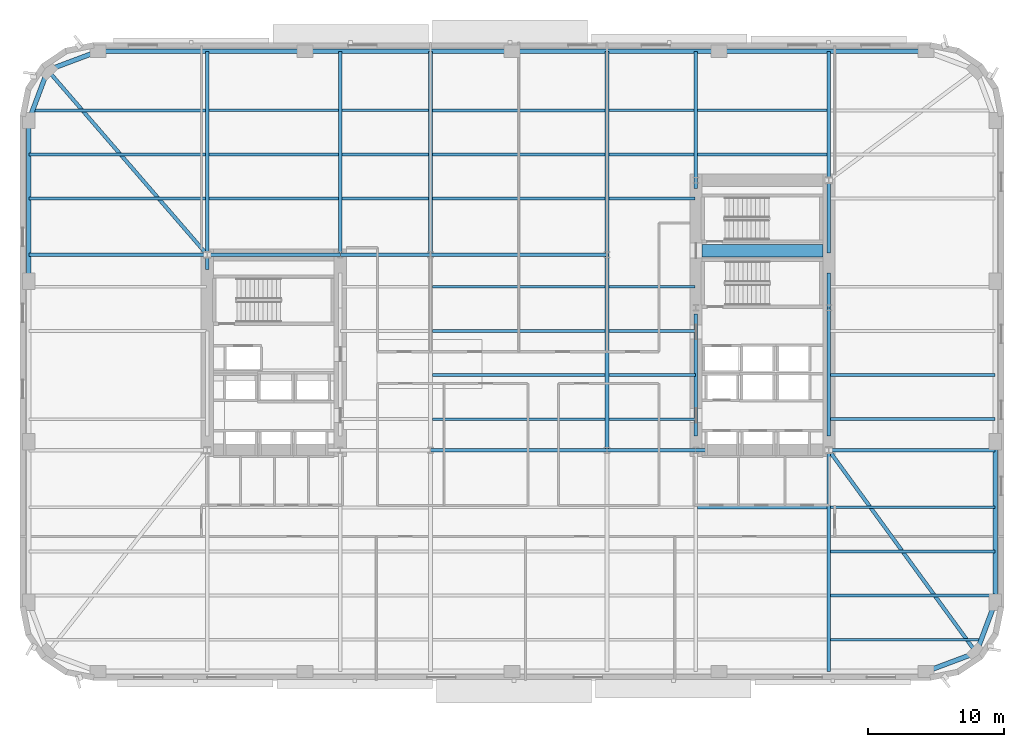
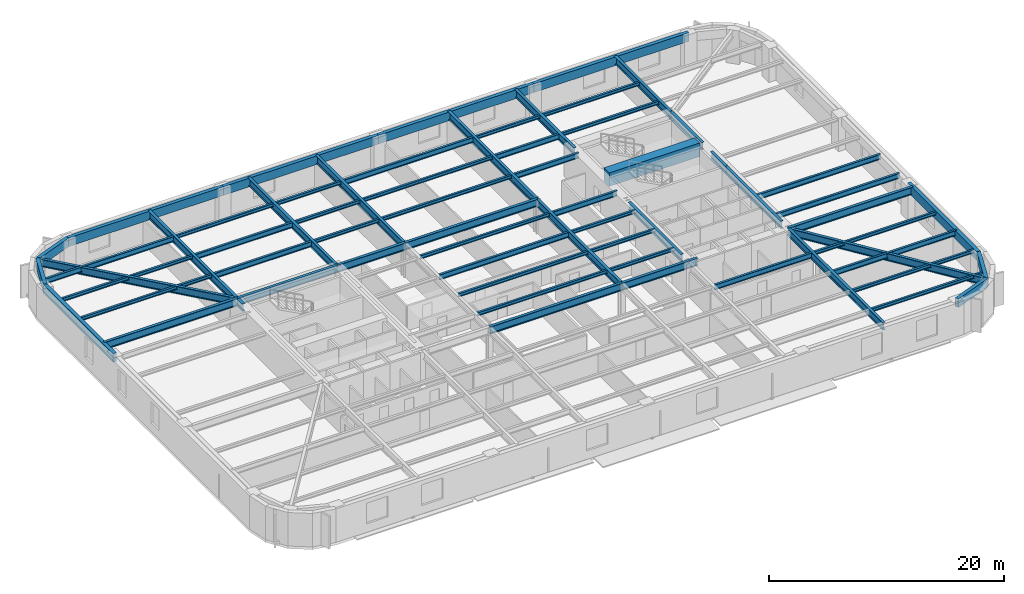
# One storey, part 2 of 15: 64 beams.
"""IFC4 building model written with IfcOpenShell, lengths in metres."""

from ifc_helpers import new_model, si_unit, direction, frame, origin, origin_2d, place, context, subcontext, project, spatial, rectangle, hollow_rectangle, i_section, extrude, material, material_profile, profile_set, type_object, element, save


model = new_model("IFC4")

# Units and contexts
model_context = context("Model", 3, precision=1e-05, world=origin(), true_north=direction((0.0, 1.0)))
body_context = subcontext(model_context, "Body", "Model", "MODEL_VIEW")
ifc_project = project(units=[si_unit("LENGTHUNIT", "METRE"), si_unit("AREAUNIT", "SQUARE_METRE"), si_unit("VOLUMEUNIT", "CUBIC_METRE"), si_unit("PLANEANGLEUNIT", "RADIAN"), si_unit("MASSUNIT", "GRAM", prefix="KILO")], contexts=[model_context])

# Site, building, storey
site_placement = place(None, origin())
site = spatial("IfcSite", under=ifc_project, at=site_placement, CompositionType="ELEMENT")
building_placement = place(site_placement, origin())
building = spatial("IfcBuilding", under=site, at=building_placement, Name="Kolvaren Arena Tower", CompositionType="ELEMENT")
storey_placement = place(building_placement, frame((0.0, 0.0, 83.25)))
storey = spatial("IfcBuildingStorey", under=building, at=storey_placement, Name="L18", CompositionType="ELEMENT", Elevation=83.25)

# Beams
ifc_material_1 = material(Name="Steel CSA G40.21 350W", Category="steel")
ifc_material_profile_1 = material_profile(ifc_material_1, i_section(OverallWidth=0.2119140625, OverallDepth=0.54296875, WebThickness=0.01318359375, FlangeThickness=0.0244140625, FilletRadius=0.013916015625, at=origin_2d()), Name="W530x150")
ifc_profile_set_1 = profile_set([ifc_material_profile_1], Name="Steel CSA G40.21 350W")
beam_type_1 = type_object("IfcBeamType", Name="BEAM-F1", PredefinedType="BEAM", material=ifc_profile_set_1)
beam_1_placement = place(storey_placement, frame((60.485107421875, 12.0, 3.20849609375), z_axis=(1.0, 0.0, 0.0), x_axis=(0.0, 1.0, 0.0)))
element("IfcBeam", 1, at=beam_1_placement, inside=storey, type_object=beam_type_1, Name="Composite Floor Beam (L18)", PredefinedType="BEAM", context=body_context, shape_type="SweptSolid", body=[
    extrude(i_section(OverallWidth=0.2119140625, OverallDepth=0.54296875, WebThickness=0.01318359375, FlangeThickness=0.0244140625, FilletRadius=0.013916015625, at=origin_2d()), origin(), (0.0, 0.0, 1.0), 12.114990234375),
])
beam_2_placement = place(storey_placement, frame((50.68505859375, 15.25, 3.20849609375), z_axis=(1.0, 0.0, 0.0), x_axis=(0.0, 1.0, 0.0)))
element("IfcBeam", 2, at=beam_2_placement, inside=storey, type_object=beam_type_1, Name="Composite Floor Beam (L18)", PredefinedType="BEAM", context=body_context, shape_type="SweptSolid", body=[
    extrude(i_section(OverallWidth=0.2119140625, OverallDepth=0.54296875, WebThickness=0.01318359375, FlangeThickness=0.0244140625, FilletRadius=0.013916015625, at=origin_2d()), origin(), (0.0, 0.0, 1.0), 9.530029296875),
])
for number, where, z_axis, x_axis, name in (
    (3, (60.3701171875, 21.75, 3.20849609375), (1.0, 0.0, 0.0), (0.0, 1.0, 0.0), "Composite Floor Beam (L18)"),
    (4, (60.3701171875, 25.0, 3.20849609375), (1.0, 0.0, 0.0), (0.0, 1.0, 0.0), "Composite Floor Beam (L18)"),
):
    element("IfcBeam", number, at=place(storey_placement, frame(where, z_axis=z_axis, x_axis=x_axis)), inside=storey, type_object=beam_type_1, Name=name, PredefinedType="BEAM", context=body_context, shape_type="SweptSolid", body=[
        extrude(i_section(OverallWidth=0.2119140625, OverallDepth=0.54296875, WebThickness=0.01318359375, FlangeThickness=0.0244140625, FilletRadius=0.013916015625, at=origin_2d()), origin(), (0.0, 0.0, 1.0), 12.22998046875),
    ])
beam_3_placement = place(storey_placement, frame((31.135009765625, 28.25, 3.20849609375), z_axis=(1.0, 0.0, 0.0), x_axis=(0.0, 1.0, 0.0)))
element("IfcBeam", 5, at=beam_3_placement, inside=storey, type_object=beam_type_1, Name="Composite Floor Beam (L18)", PredefinedType="BEAM", context=body_context, shape_type="SweptSolid", body=[
    extrude(i_section(OverallWidth=0.2119140625, OverallDepth=0.54296875, WebThickness=0.01318359375, FlangeThickness=0.0244140625, FilletRadius=0.013916015625, at=origin_2d()), origin(), (0.0, 0.0, 1.0), 12.72998046875),
])
beam_4_placement = place(storey_placement, frame((44.135009765625, 31.5, 3.20849609375), z_axis=(1.0, 0.0, 0.0), x_axis=(0.0, 1.0, 0.0)))
element("IfcBeam", 6, at=beam_4_placement, inside=storey, type_object=beam_type_1, Name="Composite Floor Beam (L18)", PredefinedType="BEAM", context=body_context, shape_type="SweptSolid", body=[
    extrude(i_section(OverallWidth=0.2119140625, OverallDepth=0.54296875, WebThickness=0.01318359375, FlangeThickness=0.0244140625, FilletRadius=0.013916015625, at=origin_2d()), origin(), (0.0, 0.0, 1.0), 6.344970703125),
])
beam_5_placement = place(storey_placement, frame((14.68505859375, 38.0, 3.20849609375), z_axis=(1.0, 0.0, 0.0), x_axis=(0.0, 1.0, 0.0)))
element("IfcBeam", 7, at=beam_5_placement, inside=storey, type_object=beam_type_1, Name="Composite Floor Beam (L18)", PredefinedType="BEAM", context=body_context, shape_type="SweptSolid", body=[
    extrude(i_section(OverallWidth=0.2119140625, OverallDepth=0.54296875, WebThickness=0.01318359375, FlangeThickness=0.0244140625, FilletRadius=0.013916015625, at=origin_2d()), origin(), (0.0, 0.0, 1.0), 9.530029296875),
])
beam_6_placement = place(storey_placement, frame((44.135009765625, 38.0, 3.20849609375), z_axis=(1.0, 0.0, 0.0), x_axis=(0.0, 1.0, 0.0)))
element("IfcBeam", 8, at=beam_6_placement, inside=storey, type_object=beam_type_1, Name="Composite Floor Beam (L18)", PredefinedType="BEAM", context=body_context, shape_type="SweptSolid", body=[
    extrude(i_section(OverallWidth=0.2119140625, OverallDepth=0.54296875, WebThickness=0.01318359375, FlangeThickness=0.0244140625, FilletRadius=0.013916015625, at=origin_2d()), origin(), (0.0, 0.0, 1.0), 6.344970703125),
])
beam_7_placement = place(storey_placement, frame((14.68505859375, 41.25, 3.20849609375), z_axis=(1.0, 0.0, 0.0), x_axis=(0.0, 1.0, 0.0)))
element("IfcBeam", 9, at=beam_7_placement, inside=storey, type_object=beam_type_1, Name="Composite Floor Beam (L18)", PredefinedType="BEAM", context=body_context, shape_type="SweptSolid", body=[
    extrude(i_section(OverallWidth=0.2119140625, OverallDepth=0.54296875, WebThickness=0.01318359375, FlangeThickness=0.0244140625, FilletRadius=0.013916015625, at=origin_2d()), origin(), (0.0, 0.0, 1.0), 9.530029296875),
])
beam_8_placement = place(storey_placement, frame((44.135009765625, 41.25, 3.20849609375), z_axis=(1.0, 0.0, 0.0), x_axis=(0.0, 1.0, 0.0)))
element("IfcBeam", 10, at=beam_8_placement, inside=storey, type_object=beam_type_1, Name="Composite Floor Beam (L18)", PredefinedType="BEAM", context=body_context, shape_type="SweptSolid", body=[
    extrude(i_section(OverallWidth=0.2119140625, OverallDepth=0.54296875, WebThickness=0.01318359375, FlangeThickness=0.0244140625, FilletRadius=0.013916015625, at=origin_2d()), origin(), (0.0, 0.0, 1.0), 6.280029296875),
])
beam_9_placement = place(storey_placement, frame((1.681396484375, 44.5, 3.20849609375), z_axis=(1.0, 0.0, 0.0), x_axis=(0.0, 1.0, 0.0)))
element("IfcBeam", 11, at=beam_9_placement, inside=storey, type_object=beam_type_1, Name="Composite Floor Beam (L18)", PredefinedType="BEAM", context=body_context, shape_type="SweptSolid", body=[
    extrude(i_section(OverallWidth=0.2119140625, OverallDepth=0.54296875, WebThickness=0.01318359375, FlangeThickness=0.0244140625, FilletRadius=0.013916015625, at=origin_2d()), origin(), (0.0, 0.0, 1.0), 12.733642578125),
])
beam_10_placement = place(storey_placement, frame((31.135009765625, 44.5, 3.20849609375), z_axis=(1.0, 0.0, 0.0), x_axis=(0.0, 1.0, 0.0)))
element("IfcBeam", 12, at=beam_10_placement, inside=storey, type_object=beam_type_1, Name="Composite Floor Beam (L18)", PredefinedType="BEAM", context=body_context, shape_type="SweptSolid", body=[
    extrude(i_section(OverallWidth=0.2119140625, OverallDepth=0.54296875, WebThickness=0.01318359375, FlangeThickness=0.0244140625, FilletRadius=0.013916015625, at=origin_2d()), origin(), (0.0, 0.0, 1.0), 12.72998046875),
])
ifc_material_2 = material(Name="Concrete 75 MPa", Category="concrete")
ifc_material_profile_2 = material_profile(ifc_material_2, rectangle(XDim=0.89990234375, YDim=1.39990234375, at=origin_2d()), Name="RC-900x1400")
ifc_profile_set_2 = profile_set([ifc_material_profile_2], Name="Concrete 75 MPa")
beam_type_2 = type_object("IfcBeamType", Name="CB-CORE-1", PredefinedType="BEAM", material=ifc_profile_set_2)
beam_11_placement = place(storey_placement, frame((51.0, 34.14990234375, 3.050048828125), z_axis=(1.0, 0.0, 0.0), x_axis=(0.0, 1.0, 0.0)))
element("IfcBeam", 13, at=beam_11_placement, inside=storey, type_object=beam_type_2, Name="East Core Coupling Beam (L18)", PredefinedType="BEAM", context=body_context, shape_type="SweptSolid", body=[
    extrude(rectangle(XDim=0.89990234375, YDim=1.39990234375, at=origin_2d()), origin(), (0.0, 0.0, 1.0), 8.89990234375),
])
ifc_material_profile_3 = material_profile(ifc_material_1, i_section(OverallWidth=0.27001953125, OverallDepth=0.77294921875, WebThickness=0.019287109375, FlangeThickness=0.033447265625, FilletRadius=0.01806640625, at=origin_2d()), Name="W760x257")
ifc_profile_set_3 = profile_set([ifc_material_profile_3], Name="Steel CSA G40.21 350W")
beam_type_3 = type_object("IfcBeamType", Name="GIRD-T1", PredefinedType="BEAM", material=ifc_profile_set_3)
beam_12_placement = place(storey_placement, frame((71.208740234375, 4.541259765625, 3.093505859375), z_axis=(-0.588737448901, 0.80832432616, 0.0), x_axis=(-0.80832432616, -0.588737448901, 0.0)))
element("IfcBeam", 14, at=beam_12_placement, inside=storey, type_object=beam_type_3, Name="Corner Diagonal Tie Girder (L18)", PredefinedType="BEAM", context=body_context, shape_type="SweptSolid", body=[
    extrude(i_section(OverallWidth=0.27001953125, OverallDepth=0.77294921875, WebThickness=0.019287109375, FlangeThickness=0.033447265625, FilletRadius=0.01806640625, at=origin_2d()), origin(), (0.0, 0.0, 1.0), 18.44384765625),
])
beam_13_placement = place(storey_placement, frame((2.791259765625, 47.458740234375, 3.093505859375), z_axis=(0.653806810332, -0.756661519283, 0.0), x_axis=(0.756661519283, 0.653806810332, 0.0)))
element("IfcBeam", 15, at=beam_13_placement, inside=storey, type_object=beam_type_3, Name="Corner Diagonal Tie Girder (L18)", PredefinedType="BEAM", context=body_context, shape_type="SweptSolid", body=[
    extrude(i_section(OverallWidth=0.27001953125, OverallDepth=0.77294921875, WebThickness=0.019287109375, FlangeThickness=0.033447265625, FilletRadius=0.01806640625, at=origin_2d()), origin(), (0.0, 0.0, 1.0), 17.985107421875),
])
beam_14_placement = place(storey_placement, frame((31.0, 19.449951171875, 3.093505859375), z_axis=(1.0, 0.0, 0.0), x_axis=(0.0, 1.0, 0.0)))
element("IfcBeam", 16, at=beam_14_placement, inside=storey, type_object=beam_type_3, Name="Primary Floor Girder (L18)", PredefinedType="BEAM", context=body_context, shape_type="SweptSolid", body=[
    extrude(i_section(OverallWidth=0.27001953125, OverallDepth=0.77294921875, WebThickness=0.019287109375, FlangeThickness=0.033447265625, FilletRadius=0.01806640625, at=origin_2d()), origin(), (0.0, 0.0, 1.0), 13.0),
])
beam_15_placement = place(storey_placement, frame((44.0, 19.449951171875, 3.093505859375), z_axis=(1.0, 0.0, 0.0), x_axis=(0.0, 1.0, 0.0)))
element("IfcBeam", 17, at=beam_15_placement, inside=storey, type_object=beam_type_3, Name="Primary Floor Girder (L18)", PredefinedType="BEAM", context=body_context, shape_type="SweptSolid", body=[
    extrude(i_section(OverallWidth=0.27001953125, OverallDepth=0.77294921875, WebThickness=0.019287109375, FlangeThickness=0.033447265625, FilletRadius=0.01806640625, at=origin_2d()), origin(), (0.0, 0.0, 1.0), 7.4150390625),
])
beam_16_placement = place(storey_placement, frame((60.35009765625, 19.449951171875, 3.093505859375), z_axis=(1.0, 0.0, 0.0), x_axis=(0.0, 1.0, 0.0)))
element("IfcBeam", 18, at=beam_16_placement, inside=storey, type_object=beam_type_3, Name="Primary Floor Girder (L18)", PredefinedType="BEAM", context=body_context, shape_type="SweptSolid", body=[
    extrude(i_section(OverallWidth=0.27001953125, OverallDepth=0.77294921875, WebThickness=0.019287109375, FlangeThickness=0.033447265625, FilletRadius=0.01806640625, at=origin_2d()), origin(), (0.0, 0.0, 1.0), 12.25),
])
beam_17_placement = place(storey_placement, frame((1.39990234375, 33.85009765625, 3.093505859375), z_axis=(1.0, 0.0, 0.0), x_axis=(0.0, 1.0, 0.0)))
element("IfcBeam", 19, at=beam_17_placement, inside=storey, type_object=beam_type_3, Name="Primary Floor Girder (L18)", PredefinedType="BEAM", context=body_context, shape_type="SweptSolid", body=[
    extrude(i_section(OverallWidth=0.27001953125, OverallDepth=0.77294921875, WebThickness=0.019287109375, FlangeThickness=0.033447265625, FilletRadius=0.01806640625, at=origin_2d()), origin(), (0.0, 0.0, 1.0), 13.150146484375),
])
beam_18_placement = place(storey_placement, frame((14.550048828125, 33.85009765625, 3.093505859375), z_axis=(1.0, 0.0, 0.0), x_axis=(0.0, 1.0, 0.0)))
element("IfcBeam", 20, at=beam_18_placement, inside=storey, type_object=beam_type_3, Name="Primary Floor Girder (L18)", PredefinedType="BEAM", context=body_context, shape_type="SweptSolid", body=[
    extrude(i_section(OverallWidth=0.27001953125, OverallDepth=0.77294921875, WebThickness=0.019287109375, FlangeThickness=0.033447265625, FilletRadius=0.01806640625, at=origin_2d()), origin(), (0.0, 0.0, 1.0), 9.800048828125),
])
beam_19_placement = place(storey_placement, frame((24.35009765625, 33.85009765625, 3.093505859375), z_axis=(1.0, 0.0, 0.0), x_axis=(0.0, 1.0, 0.0)))
element("IfcBeam", 21, at=beam_19_placement, inside=storey, type_object=beam_type_3, Name="Primary Floor Girder (L18)", PredefinedType="BEAM", context=body_context, shape_type="SweptSolid", body=[
    extrude(i_section(OverallWidth=0.27001953125, OverallDepth=0.77294921875, WebThickness=0.019287109375, FlangeThickness=0.033447265625, FilletRadius=0.01806640625, at=origin_2d()), origin(), (0.0, 0.0, 1.0), 6.64990234375),
])
beam_20_placement = place(storey_placement, frame((31.0, 33.85009765625, 3.093505859375), z_axis=(1.0, 0.0, 0.0), x_axis=(0.0, 1.0, 0.0)))
element("IfcBeam", 22, at=beam_20_placement, inside=storey, type_object=beam_type_3, Name="Primary Floor Girder (L18)", PredefinedType="BEAM", context=body_context, shape_type="SweptSolid", body=[
    extrude(i_section(OverallWidth=0.27001953125, OverallDepth=0.77294921875, WebThickness=0.019287109375, FlangeThickness=0.033447265625, FilletRadius=0.01806640625, at=origin_2d()), origin(), (0.0, 0.0, 1.0), 13.0),
])
beam_21_placement = place(storey_placement, frame((14.550048828125, 32.7900390625, 3.093505859375), z_axis=(0.0, 1.0, 0.0), x_axis=(-1.0, 0.0, 0.0)))
element("IfcBeam", 23, at=beam_21_placement, inside=storey, type_object=beam_type_3, Name="Primary Floor Girder (L18)", PredefinedType="BEAM", context=body_context, shape_type="SweptSolid", body=[
    extrude(i_section(OverallWidth=0.27001953125, OverallDepth=0.77294921875, WebThickness=0.019287109375, FlangeThickness=0.033447265625, FilletRadius=0.01806640625, at=origin_2d()), origin(), (0.0, 0.0, 1.0), 16.06005859375),
])
for number, where, z_axis, x_axis, name in (
    (24, (24.35009765625, 33.85009765625, 3.093505859375), (0.0, 1.0, 0.0), (-1.0, 0.0, 0.0), "Primary Floor Girder (L18)"),
    (25, (31.0, 33.85009765625, 3.093505859375), (0.0, 1.0, 0.0), (-1.0, 0.0, 0.0), "Primary Floor Girder (L18)"),
):
    element("IfcBeam", number, at=place(storey_placement, frame(where, z_axis=z_axis, x_axis=x_axis)), inside=storey, type_object=beam_type_3, Name=name, PredefinedType="BEAM", context=body_context, shape_type="SweptSolid", body=[
        extrude(i_section(OverallWidth=0.27001953125, OverallDepth=0.77294921875, WebThickness=0.019287109375, FlangeThickness=0.033447265625, FilletRadius=0.01806640625, at=origin_2d()), origin(), (0.0, 0.0, 1.0), 15.0),
    ])
beam_22_placement = place(storey_placement, frame((44.0, 19.449951171875, 3.093505859375), z_axis=(0.0, 1.0, 0.0), x_axis=(-1.0, 0.0, 0.0)))
element("IfcBeam", 26, at=beam_22_placement, inside=storey, type_object=beam_type_3, Name="Primary Floor Girder (L18)", PredefinedType="BEAM", context=body_context, shape_type="SweptSolid", body=[
    extrude(i_section(OverallWidth=0.27001953125, OverallDepth=0.77294921875, WebThickness=0.019287109375, FlangeThickness=0.033447265625, FilletRadius=0.01806640625, at=origin_2d()), origin(), (0.0, 0.0, 1.0), 14.400146484375),
])
beam_23_placement = place(storey_placement, frame((44.0, 33.85009765625, 3.093505859375), z_axis=(0.0, 1.0, 0.0), x_axis=(-1.0, 0.0, 0.0)))
element("IfcBeam", 27, at=beam_23_placement, inside=storey, type_object=beam_type_3, Name="Primary Floor Girder (L18)", PredefinedType="BEAM", context=body_context, shape_type="SweptSolid", body=[
    extrude(i_section(OverallWidth=0.27001953125, OverallDepth=0.77294921875, WebThickness=0.019287109375, FlangeThickness=0.033447265625, FilletRadius=0.01806640625, at=origin_2d()), origin(), (0.0, 0.0, 1.0), 15.0),
])
beam_24_placement = place(storey_placement, frame((50.550048828125, 20.5, 3.093505859375), z_axis=(0.0, 1.0, 0.0), x_axis=(-1.0, 0.0, 0.0)))
element("IfcBeam", 28, at=beam_24_placement, inside=storey, type_object=beam_type_3, Name="Primary Floor Girder (L18)", PredefinedType="BEAM", context=body_context, shape_type="SweptSolid", body=[
    extrude(i_section(OverallWidth=0.27001953125, OverallDepth=0.77294921875, WebThickness=0.019287109375, FlangeThickness=0.033447265625, FilletRadius=0.01806640625, at=origin_2d()), origin(), (0.0, 0.0, 1.0), 8.989990234375),
])
beam_25_placement = place(storey_placement, frame((50.550048828125, 38.760009765625, 3.093505859375), z_axis=(0.0, 1.0, 0.0), x_axis=(-1.0, 0.0, 0.0)))
element("IfcBeam", 29, at=beam_25_placement, inside=storey, type_object=beam_type_3, Name="Primary Floor Girder (L18)", PredefinedType="BEAM", context=body_context, shape_type="SweptSolid", body=[
    extrude(i_section(OverallWidth=0.27001953125, OverallDepth=0.77294921875, WebThickness=0.019287109375, FlangeThickness=0.033447265625, FilletRadius=0.01806640625, at=origin_2d()), origin(), (0.0, 0.0, 1.0), 10.090087890625),
])
beam_26_placement = place(storey_placement, frame((60.35009765625, 3.14990234375, 3.093505859375), z_axis=(0.0, 1.0, 0.0), x_axis=(-1.0, 0.0, 0.0)))
element("IfcBeam", 30, at=beam_26_placement, inside=storey, type_object=beam_type_3, Name="Primary Floor Girder (L18)", PredefinedType="BEAM", context=body_context, shape_type="SweptSolid", body=[
    extrude(i_section(OverallWidth=0.27001953125, OverallDepth=0.77294921875, WebThickness=0.019287109375, FlangeThickness=0.033447265625, FilletRadius=0.01806640625, at=origin_2d()), origin(), (0.0, 0.0, 1.0), 16.300048828125),
])
beam_27_placement = place(storey_placement, frame((60.35009765625, 20.5, 3.093505859375), z_axis=(0.0, 1.0, 0.0), x_axis=(-1.0, 0.0, 0.0)))
element("IfcBeam", 31, at=beam_27_placement, inside=storey, type_object=beam_type_3, Name="Primary Floor Girder (L18)", PredefinedType="BEAM", context=body_context, shape_type="SweptSolid", body=[
    extrude(i_section(OverallWidth=0.27001953125, OverallDepth=0.77294921875, WebThickness=0.019287109375, FlangeThickness=0.033447265625, FilletRadius=0.01806640625, at=origin_2d()), origin(), (0.0, 0.0, 1.0), 9.449951171875),
])
beam_28_placement = place(storey_placement, frame((60.35009765625, 29.949951171875, 3.093505859375), z_axis=(0.0, 1.0, 0.0), x_axis=(-1.0, 0.0, 0.0)))
element("IfcBeam", 32, at=beam_28_placement, inside=storey, type_object=beam_type_3, Name="Primary Floor Girder (L18)", PredefinedType="BEAM", context=body_context, shape_type="SweptSolid", body=[
    extrude(i_section(OverallWidth=0.27001953125, OverallDepth=0.77294921875, WebThickness=0.019287109375, FlangeThickness=0.033447265625, FilletRadius=0.01806640625, at=origin_2d()), origin(), (0.0, 0.0, 1.0), 2.550048828125),
])
beam_29_placement = place(storey_placement, frame((60.35009765625, 33.985107421875, 3.093505859375), z_axis=(0.0, 1.0, 0.0), x_axis=(-1.0, 0.0, 0.0)))
element("IfcBeam", 33, at=beam_29_placement, inside=storey, type_object=beam_type_3, Name="Primary Floor Girder (L18)", PredefinedType="BEAM", context=body_context, shape_type="SweptSolid", body=[
    extrude(i_section(OverallWidth=0.27001953125, OverallDepth=0.77294921875, WebThickness=0.019287109375, FlangeThickness=0.033447265625, FilletRadius=0.01806640625, at=origin_2d()), origin(), (0.0, 0.0, 1.0), 5.364990234375),
])
beam_30_placement = place(storey_placement, frame((60.35009765625, 39.35009765625, 3.093505859375), z_axis=(0.0, 1.0, 0.0), x_axis=(-1.0, 0.0, 0.0)))
element("IfcBeam", 34, at=beam_30_placement, inside=storey, type_object=beam_type_3, Name="Primary Floor Girder (L18)", PredefinedType="BEAM", context=body_context, shape_type="SweptSolid", body=[
    extrude(i_section(OverallWidth=0.27001953125, OverallDepth=0.77294921875, WebThickness=0.019287109375, FlangeThickness=0.033447265625, FilletRadius=0.01806640625, at=origin_2d()), origin(), (0.0, 0.0, 1.0), 9.5),
])
ifc_material_profile_4 = material_profile(ifc_material_1, i_section(OverallWidth=0.202880859375, OverallDepth=0.346923828125, WebThickness=0.0078125, FlangeThickness=0.013427734375, FilletRadius=0.010986328125, at=origin_2d()), Name="W360x64")
ifc_profile_set_4 = profile_set([ifc_material_profile_4], Name="Steel CSA G40.21 350W")
beam_type_4 = type_object("IfcBeamType", Name="JOIST-01", PredefinedType="JOIST", material=ifc_profile_set_4)
beam_31_placement = place(storey_placement, frame((60.485107421875, 5.5, 3.306396484375), z_axis=(1.0, 0.0, 0.0), x_axis=(0.0, 1.0, 0.0)))
element("IfcBeam", 35, at=beam_31_placement, inside=storey, type_object=beam_type_4, Name="Composite Floor Joist (L18)", PredefinedType="JOIST", context=body_context, shape_type="SweptSolid", body=[
    extrude(i_section(OverallWidth=0.202880859375, OverallDepth=0.346923828125, WebThickness=0.0078125, FlangeThickness=0.013427734375, FilletRadius=0.010986328125, at=origin_2d()), origin(), (0.0, 0.0, 1.0), 11.08349609375),
])
for number, where, z_axis, x_axis, name in (
    (36, (60.485107421875, 8.75, 3.306396484375), (1.0, 0.0, 0.0), (0.0, 1.0, 0.0), "Composite Floor Joist (L18)"),
    (37, (60.485107421875, 15.25, 3.306396484375), (1.0, 0.0, 0.0), (0.0, 1.0, 0.0), "Composite Floor Joist (L18)"),
):
    element("IfcBeam", number, at=place(storey_placement, frame(where, z_axis=z_axis, x_axis=x_axis)), inside=storey, type_object=beam_type_4, Name=name, PredefinedType="JOIST", context=body_context, shape_type="SweptSolid", body=[
        extrude(i_section(OverallWidth=0.202880859375, OverallDepth=0.346923828125, WebThickness=0.0078125, FlangeThickness=0.013427734375, FilletRadius=0.010986328125, at=origin_2d()), origin(), (0.0, 0.0, 1.0), 12.114990234375),
    ])
beam_32_placement = place(storey_placement, frame((31.135009765625, 21.75, 3.306396484375), z_axis=(1.0, 0.0, 0.0), x_axis=(0.0, 1.0, 0.0)))
element("IfcBeam", 38, at=beam_32_placement, inside=storey, type_object=beam_type_4, Name="Composite Floor Joist (L18)", PredefinedType="JOIST", context=body_context, shape_type="SweptSolid", body=[
    extrude(i_section(OverallWidth=0.202880859375, OverallDepth=0.346923828125, WebThickness=0.0078125, FlangeThickness=0.013427734375, FilletRadius=0.010986328125, at=origin_2d()), origin(), (0.0, 0.0, 1.0), 12.72998046875),
])
beam_33_placement = place(storey_placement, frame((44.135009765625, 21.75, 3.306396484375), z_axis=(1.0, 0.0, 0.0), x_axis=(0.0, 1.0, 0.0)))
element("IfcBeam", 39, at=beam_33_placement, inside=storey, type_object=beam_type_4, Name="Composite Floor Joist (L18)", PredefinedType="JOIST", context=body_context, shape_type="SweptSolid", body=[
    extrude(i_section(OverallWidth=0.202880859375, OverallDepth=0.346923828125, WebThickness=0.0078125, FlangeThickness=0.013427734375, FilletRadius=0.010986328125, at=origin_2d()), origin(), (0.0, 0.0, 1.0), 6.39501953125),
])
beam_34_placement = place(storey_placement, frame((31.135009765625, 25.0, 3.306396484375), z_axis=(1.0, 0.0, 0.0), x_axis=(0.0, 1.0, 0.0)))
element("IfcBeam", 40, at=beam_34_placement, inside=storey, type_object=beam_type_4, Name="Composite Floor Joist (L18)", PredefinedType="JOIST", context=body_context, shape_type="SweptSolid", body=[
    extrude(i_section(OverallWidth=0.202880859375, OverallDepth=0.346923828125, WebThickness=0.0078125, FlangeThickness=0.013427734375, FilletRadius=0.010986328125, at=origin_2d()), origin(), (0.0, 0.0, 1.0), 12.72998046875),
])
for number, where, z_axis, x_axis, name in (
    (41, (44.135009765625, 25.0, 3.306396484375), (1.0, 0.0, 0.0), (0.0, 1.0, 0.0), "Composite Floor Joist (L18)"),
    (42, (44.135009765625, 28.25, 3.306396484375), (1.0, 0.0, 0.0), (0.0, 1.0, 0.0), "Composite Floor Joist (L18)"),
):
    element("IfcBeam", number, at=place(storey_placement, frame(where, z_axis=z_axis, x_axis=x_axis)), inside=storey, type_object=beam_type_4, Name=name, PredefinedType="JOIST", context=body_context, shape_type="SweptSolid", body=[
        extrude(i_section(OverallWidth=0.202880859375, OverallDepth=0.346923828125, WebThickness=0.0078125, FlangeThickness=0.013427734375, FilletRadius=0.010986328125, at=origin_2d()), origin(), (0.0, 0.0, 1.0), 6.39501953125),
    ])
beam_35_placement = place(storey_placement, frame((31.135009765625, 31.5, 3.306396484375), z_axis=(1.0, 0.0, 0.0), x_axis=(0.0, 1.0, 0.0)))
element("IfcBeam", 43, at=beam_35_placement, inside=storey, type_object=beam_type_4, Name="Composite Floor Joist (L18)", PredefinedType="JOIST", context=body_context, shape_type="SweptSolid", body=[
    extrude(i_section(OverallWidth=0.202880859375, OverallDepth=0.346923828125, WebThickness=0.0078125, FlangeThickness=0.013427734375, FilletRadius=0.010986328125, at=origin_2d()), origin(), (0.0, 0.0, 1.0), 12.72998046875),
])
beam_36_placement = place(storey_placement, frame((1.39990234375, 38.0, 3.306396484375), z_axis=(1.0, 0.0, 0.0), x_axis=(0.0, 1.0, 0.0)))
element("IfcBeam", 44, at=beam_36_placement, inside=storey, type_object=beam_type_4, Name="Composite Floor Joist (L18)", PredefinedType="JOIST", context=body_context, shape_type="SweptSolid", body=[
    extrude(i_section(OverallWidth=0.202880859375, OverallDepth=0.346923828125, WebThickness=0.0078125, FlangeThickness=0.013427734375, FilletRadius=0.010986328125, at=origin_2d()), origin(), (0.0, 0.0, 1.0), 13.01513671875),
])
beam_37_placement = place(storey_placement, frame((24.485107421875, 38.0, 3.306396484375), z_axis=(1.0, 0.0, 0.0), x_axis=(0.0, 1.0, 0.0)))
element("IfcBeam", 45, at=beam_37_placement, inside=storey, type_object=beam_type_4, Name="Composite Floor Joist (L18)", PredefinedType="JOIST", context=body_context, shape_type="SweptSolid", body=[
    extrude(i_section(OverallWidth=0.202880859375, OverallDepth=0.346923828125, WebThickness=0.0078125, FlangeThickness=0.013427734375, FilletRadius=0.010986328125, at=origin_2d()), origin(), (0.0, 0.0, 1.0), 6.3798828125),
])
beam_38_placement = place(storey_placement, frame((31.135009765625, 38.0, 3.306396484375), z_axis=(1.0, 0.0, 0.0), x_axis=(0.0, 1.0, 0.0)))
element("IfcBeam", 46, at=beam_38_placement, inside=storey, type_object=beam_type_4, Name="Composite Floor Joist (L18)", PredefinedType="JOIST", context=body_context, shape_type="SweptSolid", body=[
    extrude(i_section(OverallWidth=0.202880859375, OverallDepth=0.346923828125, WebThickness=0.0078125, FlangeThickness=0.013427734375, FilletRadius=0.010986328125, at=origin_2d()), origin(), (0.0, 0.0, 1.0), 12.72998046875),
])
beam_39_placement = place(storey_placement, frame((1.39990234375, 41.25, 3.306396484375), z_axis=(1.0, 0.0, 0.0), x_axis=(0.0, 1.0, 0.0)))
element("IfcBeam", 47, at=beam_39_placement, inside=storey, type_object=beam_type_4, Name="Composite Floor Joist (L18)", PredefinedType="JOIST", context=body_context, shape_type="SweptSolid", body=[
    extrude(i_section(OverallWidth=0.202880859375, OverallDepth=0.346923828125, WebThickness=0.0078125, FlangeThickness=0.013427734375, FilletRadius=0.010986328125, at=origin_2d()), origin(), (0.0, 0.0, 1.0), 13.01513671875),
])
beam_40_placement = place(storey_placement, frame((24.485107421875, 41.25, 3.306396484375), z_axis=(1.0, 0.0, 0.0), x_axis=(0.0, 1.0, 0.0)))
element("IfcBeam", 48, at=beam_40_placement, inside=storey, type_object=beam_type_4, Name="Composite Floor Joist (L18)", PredefinedType="JOIST", context=body_context, shape_type="SweptSolid", body=[
    extrude(i_section(OverallWidth=0.202880859375, OverallDepth=0.346923828125, WebThickness=0.0078125, FlangeThickness=0.013427734375, FilletRadius=0.010986328125, at=origin_2d()), origin(), (0.0, 0.0, 1.0), 6.3798828125),
])
beam_41_placement = place(storey_placement, frame((31.135009765625, 41.25, 3.306396484375), z_axis=(1.0, 0.0, 0.0), x_axis=(0.0, 1.0, 0.0)))
element("IfcBeam", 49, at=beam_41_placement, inside=storey, type_object=beam_type_4, Name="Composite Floor Joist (L18)", PredefinedType="JOIST", context=body_context, shape_type="SweptSolid", body=[
    extrude(i_section(OverallWidth=0.202880859375, OverallDepth=0.346923828125, WebThickness=0.0078125, FlangeThickness=0.013427734375, FilletRadius=0.010986328125, at=origin_2d()), origin(), (0.0, 0.0, 1.0), 12.72998046875),
])
for number, where, z_axis, x_axis, name in (
    (50, (50.68505859375, 41.25, 3.306396484375), (1.0, 0.0, 0.0), (0.0, 1.0, 0.0), "Composite Floor Joist (L18)"),
    (51, (14.68505859375, 44.5, 3.306396484375), (1.0, 0.0, 0.0), (0.0, 1.0, 0.0), "Composite Floor Joist (L18)"),
):
    element("IfcBeam", number, at=place(storey_placement, frame(where, z_axis=z_axis, x_axis=x_axis)), inside=storey, type_object=beam_type_4, Name=name, PredefinedType="JOIST", context=body_context, shape_type="SweptSolid", body=[
        extrude(i_section(OverallWidth=0.202880859375, OverallDepth=0.346923828125, WebThickness=0.0078125, FlangeThickness=0.013427734375, FilletRadius=0.010986328125, at=origin_2d()), origin(), (0.0, 0.0, 1.0), 9.530029296875),
    ])
beam_42_placement = place(storey_placement, frame((24.485107421875, 44.5, 3.306396484375), z_axis=(1.0, 0.0, 0.0), x_axis=(0.0, 1.0, 0.0)))
element("IfcBeam", 52, at=beam_42_placement, inside=storey, type_object=beam_type_4, Name="Composite Floor Joist (L18)", PredefinedType="JOIST", context=body_context, shape_type="SweptSolid", body=[
    extrude(i_section(OverallWidth=0.202880859375, OverallDepth=0.346923828125, WebThickness=0.0078125, FlangeThickness=0.013427734375, FilletRadius=0.010986328125, at=origin_2d()), origin(), (0.0, 0.0, 1.0), 6.3798828125),
])
beam_43_placement = place(storey_placement, frame((44.135009765625, 44.5, 3.306396484375), z_axis=(1.0, 0.0, 0.0), x_axis=(0.0, 1.0, 0.0)))
element("IfcBeam", 53, at=beam_43_placement, inside=storey, type_object=beam_type_4, Name="Composite Floor Joist (L18)", PredefinedType="JOIST", context=body_context, shape_type="SweptSolid", body=[
    extrude(i_section(OverallWidth=0.202880859375, OverallDepth=0.346923828125, WebThickness=0.0078125, FlangeThickness=0.013427734375, FilletRadius=0.010986328125, at=origin_2d()), origin(), (0.0, 0.0, 1.0), 6.280029296875),
])
beam_44_placement = place(storey_placement, frame((50.68505859375, 44.5, 3.306396484375), z_axis=(1.0, 0.0, 0.0), x_axis=(0.0, 1.0, 0.0)))
element("IfcBeam", 54, at=beam_44_placement, inside=storey, type_object=beam_type_4, Name="Composite Floor Joist (L18)", PredefinedType="JOIST", context=body_context, shape_type="SweptSolid", body=[
    extrude(i_section(OverallWidth=0.202880859375, OverallDepth=0.346923828125, WebThickness=0.0078125, FlangeThickness=0.013427734375, FilletRadius=0.010986328125, at=origin_2d()), origin(), (0.0, 0.0, 1.0), 9.530029296875),
])
ifc_material_3 = material(Name="Steel CSA G40.21 350WT", Category="steel")
ifc_material_profile_5 = material_profile(ifc_material_3, hollow_rectangle(XDim=0.35009765625, YDim=0.89990234375, WallThickness=0.02001953125, at=origin_2d()), Name="HSS 900x350x20")
ifc_profile_set_5 = profile_set([ifc_material_profile_5], Name="Steel CSA G40.21 350WT")
beam_type_5 = type_object("IfcBeamType", Name="SPAND-01", PredefinedType="SPANDREL", material=ifc_profile_set_5)
for number, where, z_axis, x_axis, name in (
    (55, (67.5, 3.14990234375, 3.030029296875), (0.93628104365, 0.351251771955, 0.0), (-0.351251771955, 0.93628104365, 0.0), "Perimeter Spandrel Beam (L18)"),
    (56, (71.208740234375, 4.541259765625, 3.030029296875), (0.351251771955, 0.93628104365, 0.0), (-0.93628104365, 0.351251771955, 0.0), "Perimeter Spandrel Beam (L18)"),
):
    element("IfcBeam", number, at=place(storey_placement, frame(where, z_axis=z_axis, x_axis=x_axis)), inside=storey, type_object=beam_type_5, Name=name, PredefinedType="SPANDREL", context=body_context, shape_type="SweptSolid", body=[
        extrude(hollow_rectangle(XDim=0.35009765625, YDim=0.89990234375, WallThickness=0.02001953125, at=origin_2d()), origin(), (0.0, 0.0, 1.0), 3.961181640625),
    ])
beam_45_placement = place(storey_placement, frame((72.60009765625, 8.25, 3.030029296875), z_axis=(0.0, 1.0, 0.0), x_axis=(-1.0, 0.0, 0.0)))
element("IfcBeam", 57, at=beam_45_placement, inside=storey, type_object=beam_type_5, Name="Perimeter Spandrel Beam (L18)", PredefinedType="SPANDREL", context=body_context, shape_type="SweptSolid", body=[
    extrude(hollow_rectangle(XDim=0.35009765625, YDim=0.89990234375, WallThickness=0.02001953125, at=origin_2d()), origin(), (0.0, 0.0, 1.0), 11.833251953125),
])
for number, where, z_axis, x_axis, name in (
    (58, (67.5, 48.85009765625, 3.030029296875), (-1.0, 0.0, 0.0), (0.0, -1.0, 0.0), "Perimeter Spandrel Beam (L18)"),
    (59, (52.25, 48.85009765625, 3.030029296875), (-1.0, 0.0, 0.0), (0.0, -1.0, 0.0), "Perimeter Spandrel Beam (L18)"),
    (60, (37.0, 48.85009765625, 3.030029296875), (-1.0, 0.0, 0.0), (0.0, -1.0, 0.0), "Perimeter Spandrel Beam (L18)"),
    (61, (21.75, 48.85009765625, 3.030029296875), (-1.0, 0.0, 0.0), (0.0, -1.0, 0.0), "Perimeter Spandrel Beam (L18)"),
):
    element("IfcBeam", number, at=place(storey_placement, frame(where, z_axis=z_axis, x_axis=x_axis)), inside=storey, type_object=beam_type_5, Name=name, PredefinedType="SPANDREL", context=body_context, shape_type="SweptSolid", body=[
        extrude(hollow_rectangle(XDim=0.35009765625, YDim=0.89990234375, WallThickness=0.02001953125, at=origin_2d()), origin(), (0.0, 0.0, 1.0), 15.25),
    ])
for number, where, z_axis, x_axis, name in (
    (62, (6.5, 48.85009765625, 3.030029296875), (-0.93628104365, -0.351251771955, 0.0), (0.351251771955, -0.93628104365, 0.0), "Perimeter Spandrel Beam (L18)"),
    (63, (2.791259765625, 47.458740234375, 3.030029296875), (-0.351251771955, -0.93628104365, 0.0), (0.93628104365, -0.351251771955, 0.0), "Perimeter Spandrel Beam (L18)"),
):
    element("IfcBeam", number, at=place(storey_placement, frame(where, z_axis=z_axis, x_axis=x_axis)), inside=storey, type_object=beam_type_5, Name=name, PredefinedType="SPANDREL", context=body_context, shape_type="SweptSolid", body=[
        extrude(hollow_rectangle(XDim=0.35009765625, YDim=0.89990234375, WallThickness=0.02001953125, at=origin_2d()), origin(), (0.0, 0.0, 1.0), 3.961181640625),
    ])
beam_46_placement = place(storey_placement, frame((1.39990234375, 43.75, 3.030029296875), z_axis=(0.0, -1.0, 0.0), x_axis=(1.0, 0.0, 0.0)))
element("IfcBeam", 64, at=beam_46_placement, inside=storey, type_object=beam_type_5, Name="Perimeter Spandrel Beam (L18)", PredefinedType="SPANDREL", context=body_context, shape_type="SweptSolid", body=[
    extrude(hollow_rectangle(XDim=0.35009765625, YDim=0.89990234375, WallThickness=0.02001953125, at=origin_2d()), origin(), (0.0, 0.0, 1.0), 11.833251953125),
])

save(model, "model.ifc")
